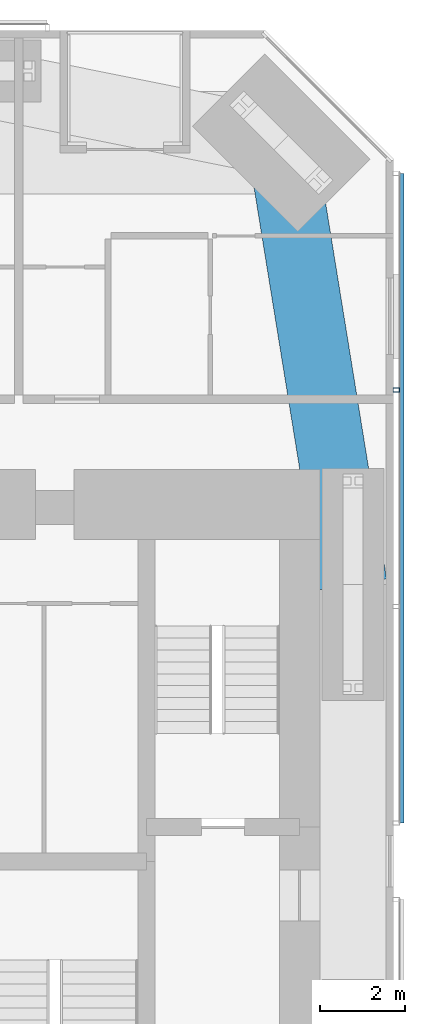
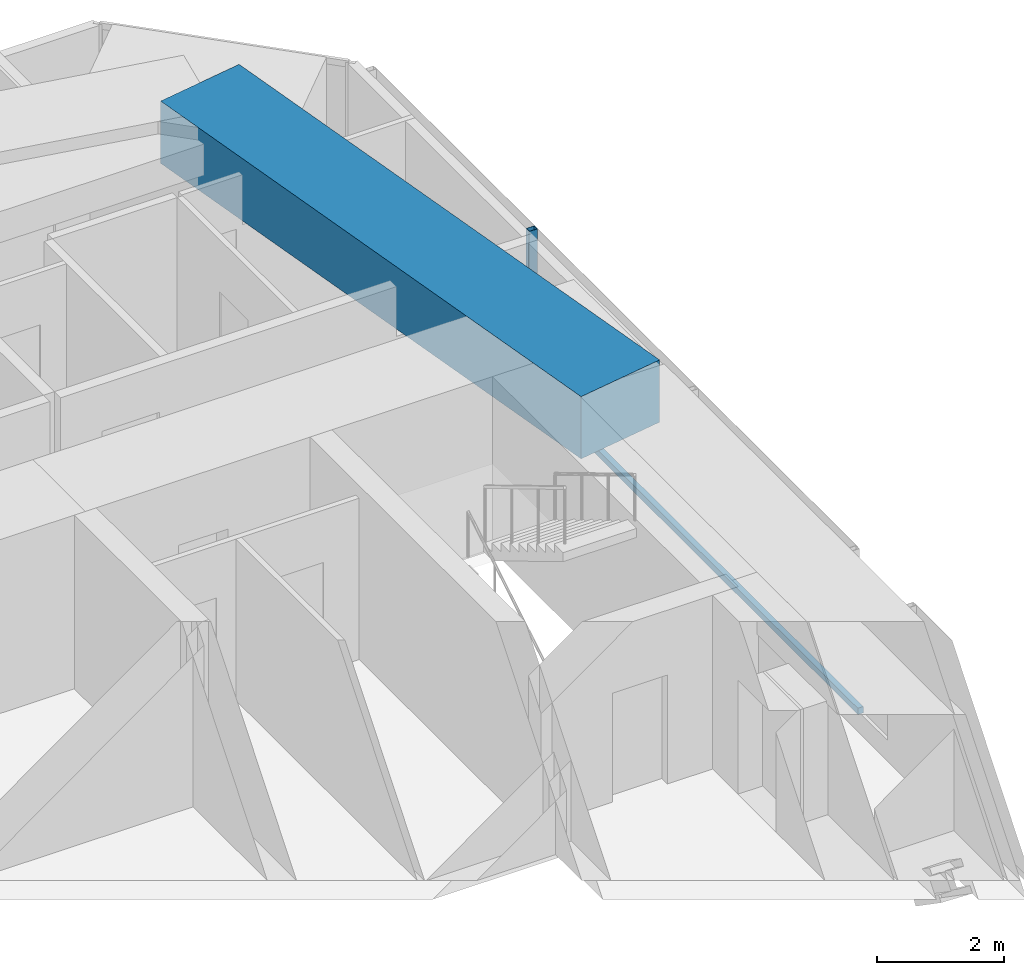
# One storey, part 10 of 23: 2 members, 1 beam, 1 element without a shape of its own.
"""IFC4 building model written with IfcOpenShell, lengths in metres."""

import ifcopenshell
import ifcopenshell.guid

model = None  # the IFC model being written
_history = None  # IfcOwnerHistory: only IFC2X3 demands one
_inside = {}  # id of a spatial element -> (the spatial element, [elements in it])
_under = {}  # id of a project, library or spatial element -> (it, [spatial elements below it])
_declared = {}  # id of a project -> (the project, [libraries it declares])
_typed = {}  # id of a type object -> (the type object, [elements of that type])
_made_of = {}  # id of a material, layer set ... -> (it, [elements and type objects made of it])


def new_model(schema):
    """Start an empty IFC model of exactly this schema.

    Asked for "IFC4X3", IfcOpenShell would pick the latest addendum, in which some entities
    have other attributes; the version numbers below select the first issue.
    IFC2X3 requires an IfcOwnerHistory on every rooted entity: one is made here for all.
    """
    global model, _history
    if schema == "IFC4X3":
        model = ifcopenshell.file(schema_version=(4, 3, 0, 0))
    else:
        model = ifcopenshell.file(schema=schema)
    _inside.clear()
    _under.clear()
    _declared.clear()
    _typed.clear()
    _made_of.clear()
    _history = None
    if model.schema == "IFC2X3":
        org = make("IfcOrganization", Name="unknown")
        user = make(
            "IfcPersonAndOrganization",
            ThePerson=make("IfcPerson", FamilyName="unknown"),
            TheOrganization=org,
        )
        app = make(
            "IfcApplication",
            ApplicationDeveloper=org,
            Version="unknown",
            ApplicationFullName="unknown",
            ApplicationIdentifier="unknown",
        )
        _history = make(
            "IfcOwnerHistory",
            OwningUser=user,
            OwningApplication=app,
            ChangeAction="ADDED",
            CreationDate=0,
        )
    return model


def make(cls, **values):
    """One entity of the class cls with the attributes given. An attribute that is None is left unset."""
    return model.create_entity(
        cls, **{name: value for name, value in values.items() if value is not None}
    )


def rooted(cls, **values):
    """An entity with a GlobalId (a new one), such as an element, a storey or a relation."""
    return make(cls, GlobalId=ifcopenshell.guid.new(), OwnerHistory=_history, **values)


def si_unit(unit_type, name, prefix=None):
    """IfcSIUnit, for example si_unit("LENGTHUNIT", "METRE", prefix="MILLI")."""
    return make("IfcSIUnit", UnitType=unit_type, Prefix=prefix, Name=name)


def assignment(units):
    """IfcUnitAssignment: the units of a project."""
    return None if units is None else make("IfcUnitAssignment", Units=units)


def point(xyz):
    """IfcCartesianPoint."""
    return None if xyz is None else make("IfcCartesianPoint", Coordinates=xyz)


def direction(xyz):
    """IfcDirection."""
    return None if xyz is None else make("IfcDirection", DirectionRatios=xyz)


def frame(location, z_axis=None, x_axis=None):
    """IfcAxis2Placement3D, a coordinate frame: its origin and axes. An axis left out is left unset."""
    return make(
        "IfcAxis2Placement3D",
        Location=point(location),
        Axis=direction(z_axis),
        RefDirection=direction(x_axis),
    )


def frame_2d(location, x_axis=None):
    """IfcAxis2Placement2D, a coordinate frame in the plane: its origin and x axis."""
    return make(
        "IfcAxis2Placement2D", Location=point(location), RefDirection=direction(x_axis)
    )


def origin():
    """The frame at (0, 0, 0) with its axes left unset."""
    return frame((0.0, 0.0, 0.0))


def origin_2d():
    """The frame at (0, 0) in the plane with its x axis left unset."""
    return frame_2d((0.0, 0.0))


def place(relative_to, where):
    """IfcLocalPlacement: puts the frame where relative to a parent placement (None: the world)."""
    return make(
        "IfcLocalPlacement", PlacementRelTo=relative_to, RelativePlacement=where
    )


def context(
    kind, dimensions, precision=None, world=None, true_north=None, identifier=None
):
    """IfcGeometricRepresentationContext, for example the 3D "Model" context."""
    return make(
        "IfcGeometricRepresentationContext",
        ContextIdentifier=identifier,
        ContextType=kind,
        CoordinateSpaceDimension=dimensions,
        Precision=precision,
        WorldCoordinateSystem=world,
        TrueNorth=true_north,
    )


def subcontext(parent, identifier, kind, view, scale=None):
    """IfcGeometricRepresentationSubContext, for example "Body" below "Model"."""
    return make(
        "IfcGeometricRepresentationSubContext",
        ContextIdentifier=identifier,
        ContextType=kind,
        ParentContext=parent,
        TargetScale=scale,
        TargetView=view,
    )


def project(units=None, contexts=None):
    """IfcProject with its units and contexts."""
    return rooted(
        "IfcProject",
        Name="project",
        RepresentationContexts=contexts,
        UnitsInContext=assignment(units),
    )


def spatial(cls, under=None, at=None, **own):
    """A site, building, storey or space (cls), placed at a placement, below another one or the project."""
    s = rooted(cls, ObjectPlacement=at, **own)
    if under is not None:
        _under.setdefault(under.id(), (under, []))[1].append(s)
    return s


def profile(cls, at=None, kind="AREA", **sizes):
    """A parametric profile (cls). Its sizes go by their IFC names, for example OverallWidth=200.0."""
    return make(cls, ProfileType=kind, Position=at, **sizes)


def rectangle(**sizes):
    """IfcRectangleProfileDef."""
    return profile("IfcRectangleProfileDef", **sizes)


def hollow_rectangle(**sizes):
    """IfcRectangleHollowProfileDef."""
    return profile("IfcRectangleHollowProfileDef", **sizes)


def extrude(swept, where, along, depth):
    """IfcExtrudedAreaSolid: the profile swept, set in the frame where, extruded along a direction by depth."""
    return make(
        "IfcExtrudedAreaSolid",
        SweptArea=swept,
        Position=where,
        ExtrudedDirection=direction(along),
        Depth=depth,
    )


def shape(context_of_items, identifier, shape_type, items):
    """IfcShapeRepresentation: the items that make up one representation, for example the "Body"."""
    return make(
        "IfcShapeRepresentation",
        ContextOfItems=context_of_items,
        RepresentationIdentifier=identifier,
        RepresentationType=shape_type,
        Items=items,
    )


def material(Name=None, Category=None):
    """IfcMaterial."""
    return make("IfcMaterial", Name=Name, Category=Category)


def material_profile(
    of_material, cross_section, Name=None, Category=None, Priority=None
):
    """IfcMaterialProfile: a cross section and its material."""
    return make(
        "IfcMaterialProfile",
        Name=Name,
        Material=of_material,
        Profile=cross_section,
        Priority=Priority,
        Category=Category,
    )


def profile_set(profiles, Name=None, composite=None):
    """IfcMaterialProfileSet."""
    return make(
        "IfcMaterialProfileSet",
        Name=Name,
        MaterialProfiles=profiles,
        CompositeProfile=composite,
    )


def made_of(thing, what):
    """Note that an element or type object is made of a material, layer set ...; save() writes the relation."""
    if what is not None:
        _made_of.setdefault(what.id(), (what, []))[1].append(thing)
    return thing


def type_object(cls, material=None, **own):
    """A type object (cls), such as IfcWallType, which elements share."""
    return made_of(rooted(cls, **own), material)


def element(
    cls,
    number,
    at=None,
    inside=None,
    cuts=None,
    type_object=None,
    material=None,
    context=None,
    identifier="Body",
    shape_type=None,
    held_by="IfcProductDefinitionShape",
    body=None,
    shapes=None,
    **own,
):
    """One element of the class cls, such as IfcWall. Its Tag is "e" and its number.

    at: its placement. inside: the storey or other place that contains it. cuts: it is an
    opening in that element (IfcRelVoidsElement). A single representation is given by context,
    identifier, shape_type and body (its items); several are given by shapes. held_by: the class
    of the entity that holds the representations. save() writes the other relations.
    """
    e = rooted(cls, Tag="e%d" % number, ObjectPlacement=at, **own)
    if body is not None:
        shapes = [shape(context, identifier, shape_type, body)]
    if shapes is not None:
        e.Representation = make(held_by, Representations=shapes)
    if inside is not None:
        _inside.setdefault(inside.id(), (inside, []))[1].append(e)
    if cuts is not None:
        rooted(
            "IfcRelVoidsElement", RelatingBuildingElement=cuts, RelatedOpeningElement=e
        )
    if type_object is not None:
        _typed.setdefault(type_object.id(), (type_object, []))[1].append(e)
    return made_of(e, material)


def aggregate(whole, parts):
    """IfcRelAggregates: a whole, such as a stair, and the parts it consists of."""
    return rooted("IfcRelAggregates", RelatingObject=whole, RelatedObjects=parts)


def save(model, path):
    """Write the relations noted so far, then the file.

    IfcRelAggregates (storeys below a building ...), IfcRelContainedInSpatialStructure (elements
    in a storey), IfcRelDefinesByType, IfcRelAssociatesMaterial and IfcRelDeclares: one each for
    every whole, place, type object, material and project.
    """
    for whole, parts in _under.values():
        aggregate(whole, parts)
    for where, things in _inside.values():
        rooted(
            "IfcRelContainedInSpatialStructure",
            RelatedElements=things,
            RelatingStructure=where,
        )
    for kind, things in _typed.values():
        rooted("IfcRelDefinesByType", RelatedObjects=things, RelatingType=kind)
    for what, things in _made_of.values():
        rooted("IfcRelAssociatesMaterial", RelatedObjects=things, RelatingMaterial=what)
    for by, libraries in _declared.values():
        rooted("IfcRelDeclares", RelatingContext=by, RelatedDefinitions=libraries)
    model.write(path)


model = new_model("IFC4")

# Units and contexts
model_context = context("Model", 3, precision=1e-05, world=origin(), true_north=direction((0.0, 1.0)))
body_context = subcontext(model_context, "Body", "Model", "MODEL_VIEW")
ifc_project = project(units=[si_unit("LENGTHUNIT", "METRE"), si_unit("AREAUNIT", "SQUARE_METRE"), si_unit("VOLUMEUNIT", "CUBIC_METRE"), si_unit("PLANEANGLEUNIT", "RADIAN"), si_unit("MASSUNIT", "GRAM", prefix="KILO")], contexts=[model_context])

# Site, building, storey
site_placement = place(None, origin())
site = spatial("IfcSite", under=ifc_project, at=site_placement, CompositionType="ELEMENT")
building_placement = place(site_placement, origin())
building = spatial("IfcBuilding", under=site, at=building_placement, Name="Jalousie Tower", CompositionType="ELEMENT")
storey_placement = place(building_placement, frame((0.0, 0.0, 24.35009765625)))
storey = spatial("IfcBuildingStorey", under=building, at=storey_placement, Name="L05", CompositionType="ELEMENT", Elevation=24.35009765625)

# Beam
ifc_material_1 = material(Name="Concrete f'c 40 MPa", Category="concrete")
ifc_material_profile_1 = material_profile(ifc_material_1, rectangle(XDim=1.60009765625, YDim=1.199951171875, at=origin_2d()), Name="RC 1600x1200")
ifc_profile_set_1 = profile_set([ifc_material_profile_1], Name="Concrete f'c 40 MPa")
beam_type = type_object("IfcBeamType", Name="RC BEAM 1600x1200", PredefinedType="BEAM", material=ifc_profile_set_1)
beam_placement = place(storey_placement, frame((45.050048828125, 25.0, 2.75), z_axis=(-0.160070546476, 0.987105577003, 0.0), x_axis=(-0.987105577003, -0.160070546476, 0.0)))
element("IfcBeam", 1, at=beam_placement, inside=storey, type_object=beam_type, Name="Edge band beam 07-08 under L06", PredefinedType="BEAM", context=body_context, shape_type="SweptSolid", body=[
    extrude(rectangle(XDim=1.60009765625, YDim=1.199951171875, at=origin_2d()), origin(), (0.0, 0.0, 1.0), 10.504150390625),
])

# Curtain wall, members
ifc_material_2 = material(Name="Perforated aluminium sheet", Category="aluminium")
curtain_wall_type = type_object("IfcCurtainWallType", Name="SOLAR SCREEN SS-1", PredefinedType="USERDEFINED", material=ifc_material_2)
curtain_wall_placement = place(storey_placement, origin())
curtain_wall = element("IfcCurtainWall", 2, at=curtain_wall_placement, inside=storey, type_object=curtain_wall_type, Name="Solar screen L05", ObjectType="SOLAR SCREEN SS-1", PredefinedType="USERDEFINED")
ifc_material_3 = material(Name="Steel ASTM A500 Grade C", Category="steel")
ifc_material_profile_2 = material_profile(ifc_material_3, hollow_rectangle(XDim=0.1015625, YDim=0.15234375, WallThickness=0.00634765625, at=origin_2d()), Name="HSS6X4X1/4")
ifc_profile_set_2 = profile_set([ifc_material_profile_2], Name="Steel ASTM A500 Grade C")
member_type_1 = type_object("IfcMemberType", Name="SOLAR SCREEN SS-1 MULLION", PredefinedType="MULLION", material=ifc_profile_set_2)
member_1_placement = place(storey_placement, frame((46.0712890625, 29.56591796875, -0.1201171875), z_axis=(0.0, 0.0, 1.0), x_axis=(0.0, 1.0, 0.0)))
member_1 = element("IfcMember", 3, at=member_1_placement, type_object=member_type_1, Name="SS1 post 3", PredefinedType="MULLION", context=body_context, shape_type="SweptSolid", body=[
    extrude(hollow_rectangle(XDim=0.1015625, YDim=0.15234375, WallThickness=0.00634765625, at=origin_2d()), origin(), (0.0, 0.0, 1.0), 3.22998046875),
])
ifc_material_4 = material(Name="Extruded aluminium screen rail", Category="aluminium")
ifc_material_profile_3 = material_profile(ifc_material_4, rectangle(XDim=0.1015625, YDim=0.1201171875, at=origin_2d()), Name="RAIL 102x120")
ifc_profile_set_3 = profile_set([ifc_material_profile_3], Name="Extruded aluminium screen rail")
member_type_2 = type_object("IfcMemberType", Name="SOLAR SCREEN SS-1 TRANSOM", PredefinedType="USERDEFINED", material=ifc_profile_set_3)
member_2_placement = place(storey_placement, frame((46.1982421875, 19.39990234375, -0.06005859375), z_axis=(0.0, 1.0, 0.0), x_axis=(-1.0, 0.0, 0.0)))
member_2 = element("IfcMember", 4, at=member_2_placement, type_object=member_type_2, Name="SS1 rail", ObjectType="TRANSOM", PredefinedType="USERDEFINED", context=body_context, shape_type="SweptSolid", body=[
    extrude(rectangle(XDim=0.1015625, YDim=0.1201171875, at=origin_2d()), origin(), (0.0, 0.0, 1.0), 15.248779296875),
])
aggregate(curtain_wall, [member_1, member_2])

save(model, "model.ifc")
